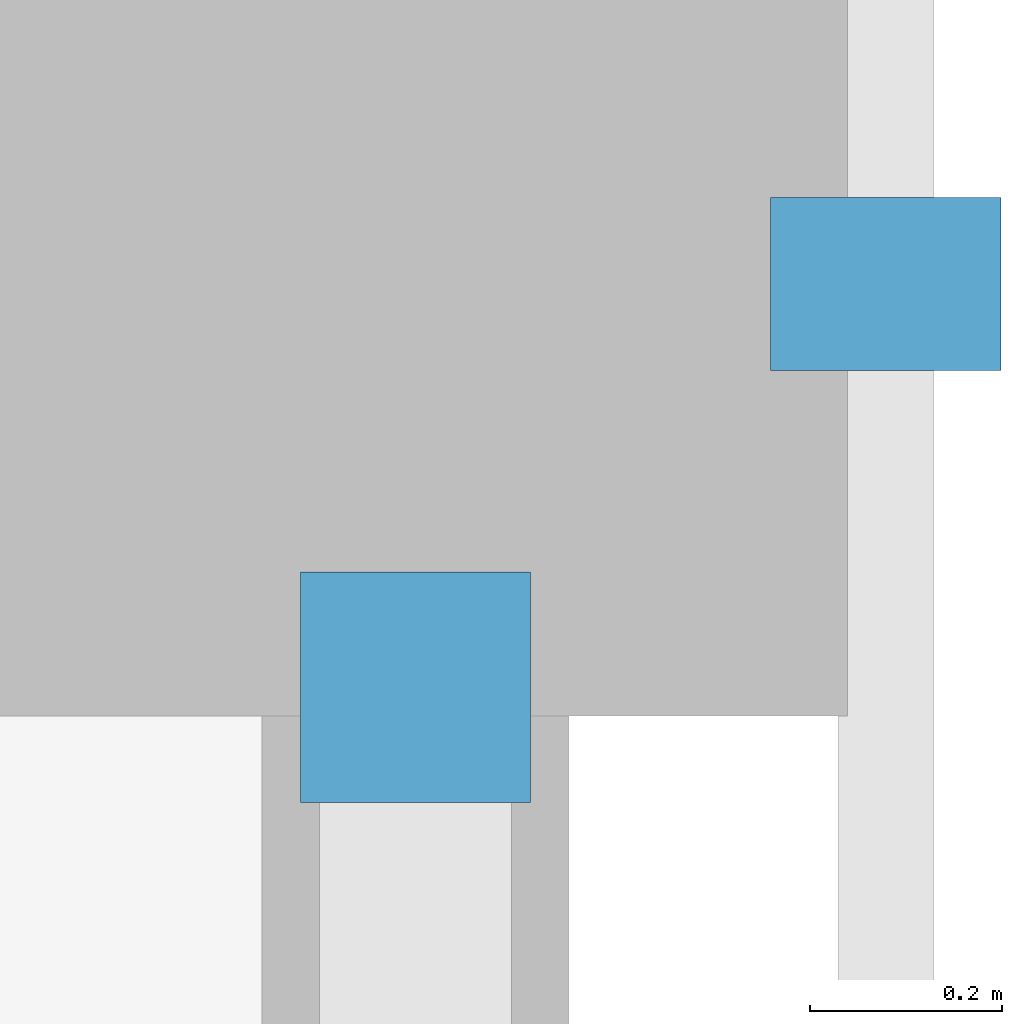
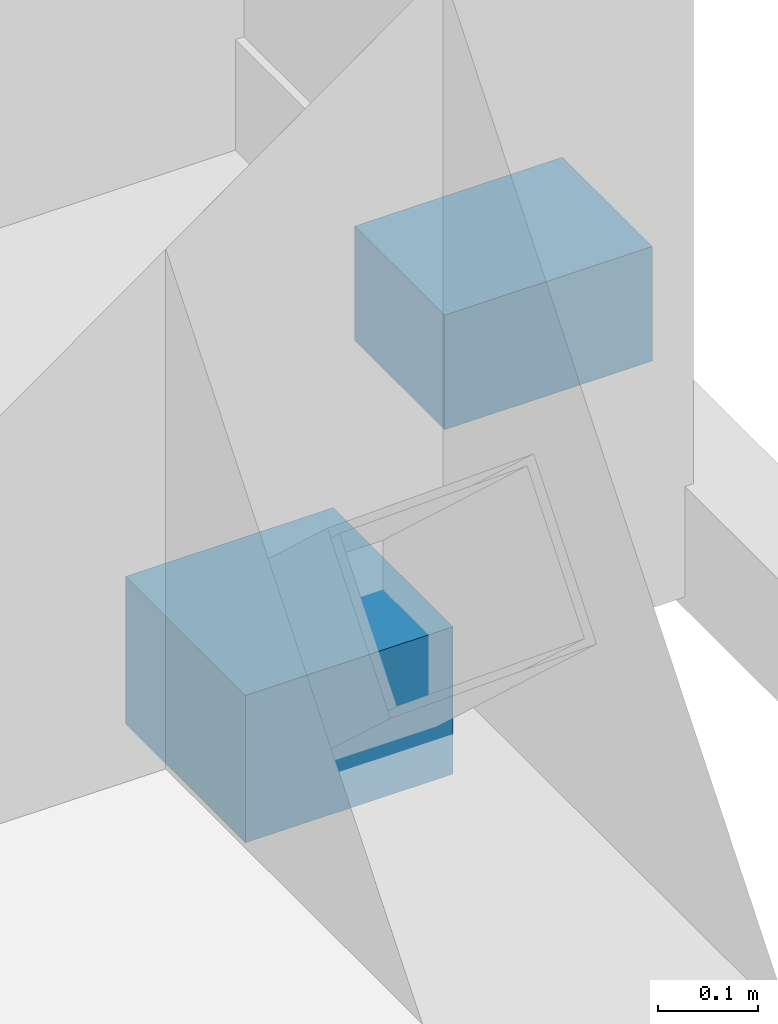
# One storey, part 103 of 118: 2 discrete accessories.
"""IFC4 building model written with IfcOpenShell, lengths in metres."""

import ifcopenshell
import ifcopenshell.guid

model = None  # the IFC model being written
_history = None  # IfcOwnerHistory: only IFC2X3 demands one
_inside = {}  # id of a spatial element -> (the spatial element, [elements in it])
_under = {}  # id of a project, library or spatial element -> (it, [spatial elements below it])
_declared = {}  # id of a project -> (the project, [libraries it declares])
_typed = {}  # id of a type object -> (the type object, [elements of that type])
_made_of = {}  # id of a material, layer set ... -> (it, [elements and type objects made of it])


def new_model(schema):
    """Start an empty IFC model of exactly this schema.

    Asked for "IFC4X3", IfcOpenShell would pick the latest addendum, in which some entities
    have other attributes; the version numbers below select the first issue.
    IFC2X3 requires an IfcOwnerHistory on every rooted entity: one is made here for all.
    """
    global model, _history
    if schema == "IFC4X3":
        model = ifcopenshell.file(schema_version=(4, 3, 0, 0))
    else:
        model = ifcopenshell.file(schema=schema)
    _inside.clear()
    _under.clear()
    _declared.clear()
    _typed.clear()
    _made_of.clear()
    _history = None
    if model.schema == "IFC2X3":
        org = make("IfcOrganization", Name="unknown")
        user = make(
            "IfcPersonAndOrganization",
            ThePerson=make("IfcPerson", FamilyName="unknown"),
            TheOrganization=org,
        )
        app = make(
            "IfcApplication",
            ApplicationDeveloper=org,
            Version="unknown",
            ApplicationFullName="unknown",
            ApplicationIdentifier="unknown",
        )
        _history = make(
            "IfcOwnerHistory",
            OwningUser=user,
            OwningApplication=app,
            ChangeAction="ADDED",
            CreationDate=0,
        )
    return model


def make(cls, **values):
    """One entity of the class cls with the attributes given. An attribute that is None is left unset."""
    return model.create_entity(
        cls, **{name: value for name, value in values.items() if value is not None}
    )


def rooted(cls, **values):
    """An entity with a GlobalId (a new one), such as an element, a storey or a relation."""
    return make(cls, GlobalId=ifcopenshell.guid.new(), OwnerHistory=_history, **values)


def si_unit(unit_type, name, prefix=None):
    """IfcSIUnit, for example si_unit("LENGTHUNIT", "METRE", prefix="MILLI")."""
    return make("IfcSIUnit", UnitType=unit_type, Prefix=prefix, Name=name)


def assignment(units):
    """IfcUnitAssignment: the units of a project."""
    return None if units is None else make("IfcUnitAssignment", Units=units)


def point(xyz):
    """IfcCartesianPoint."""
    return None if xyz is None else make("IfcCartesianPoint", Coordinates=xyz)


def direction(xyz):
    """IfcDirection."""
    return None if xyz is None else make("IfcDirection", DirectionRatios=xyz)


def frame(location, z_axis=None, x_axis=None):
    """IfcAxis2Placement3D, a coordinate frame: its origin and axes. An axis left out is left unset."""
    return make(
        "IfcAxis2Placement3D",
        Location=point(location),
        Axis=direction(z_axis),
        RefDirection=direction(x_axis),
    )


def frame_2d(location, x_axis=None):
    """IfcAxis2Placement2D, a coordinate frame in the plane: its origin and x axis."""
    return make(
        "IfcAxis2Placement2D", Location=point(location), RefDirection=direction(x_axis)
    )


def origin():
    """The frame at (0, 0, 0) with its axes left unset."""
    return frame((0.0, 0.0, 0.0))


def origin_2d():
    """The frame at (0, 0) in the plane with its x axis left unset."""
    return frame_2d((0.0, 0.0))


def place(relative_to, where):
    """IfcLocalPlacement: puts the frame where relative to a parent placement (None: the world)."""
    return make(
        "IfcLocalPlacement", PlacementRelTo=relative_to, RelativePlacement=where
    )


def context(
    kind, dimensions, precision=None, world=None, true_north=None, identifier=None
):
    """IfcGeometricRepresentationContext, for example the 3D "Model" context."""
    return make(
        "IfcGeometricRepresentationContext",
        ContextIdentifier=identifier,
        ContextType=kind,
        CoordinateSpaceDimension=dimensions,
        Precision=precision,
        WorldCoordinateSystem=world,
        TrueNorth=true_north,
    )


def subcontext(parent, identifier, kind, view, scale=None):
    """IfcGeometricRepresentationSubContext, for example "Body" below "Model"."""
    return make(
        "IfcGeometricRepresentationSubContext",
        ContextIdentifier=identifier,
        ContextType=kind,
        ParentContext=parent,
        TargetScale=scale,
        TargetView=view,
    )


def project(units=None, contexts=None):
    """IfcProject with its units and contexts."""
    return rooted(
        "IfcProject",
        Name="project",
        RepresentationContexts=contexts,
        UnitsInContext=assignment(units),
    )


def spatial(cls, under=None, at=None, **own):
    """A site, building, storey or space (cls), placed at a placement, below another one or the project."""
    s = rooted(cls, ObjectPlacement=at, **own)
    if under is not None:
        _under.setdefault(under.id(), (under, []))[1].append(s)
    return s


def profile(cls, at=None, kind="AREA", **sizes):
    """A parametric profile (cls). Its sizes go by their IFC names, for example OverallWidth=200.0."""
    return make(cls, ProfileType=kind, Position=at, **sizes)


def rectangle(**sizes):
    """IfcRectangleProfileDef."""
    return profile("IfcRectangleProfileDef", **sizes)


def extrude(swept, where, along, depth):
    """IfcExtrudedAreaSolid: the profile swept, set in the frame where, extruded along a direction by depth."""
    return make(
        "IfcExtrudedAreaSolid",
        SweptArea=swept,
        Position=where,
        ExtrudedDirection=direction(along),
        Depth=depth,
    )


def shape(context_of_items, identifier, shape_type, items):
    """IfcShapeRepresentation: the items that make up one representation, for example the "Body"."""
    return make(
        "IfcShapeRepresentation",
        ContextOfItems=context_of_items,
        RepresentationIdentifier=identifier,
        RepresentationType=shape_type,
        Items=items,
    )


def material(Name=None, Category=None):
    """IfcMaterial."""
    return make("IfcMaterial", Name=Name, Category=Category)


def layer(
    of_material, thickness, ventilated=None, Name=None, Category=None, Priority=None
):
    """IfcMaterialLayer: one layer of a wall or slab, of a material (None: an air gap)."""
    return make(
        "IfcMaterialLayer",
        Material=of_material,
        LayerThickness=thickness,
        IsVentilated=ventilated,
        Name=Name,
        Category=Category,
        Priority=Priority,
    )


def layer_set(layers, Name=None):
    """IfcMaterialLayerSet."""
    return make("IfcMaterialLayerSet", MaterialLayers=layers, LayerSetName=Name)


def made_of(thing, what):
    """Note that an element or type object is made of a material, layer set ...; save() writes the relation."""
    if what is not None:
        _made_of.setdefault(what.id(), (what, []))[1].append(thing)
    return thing


def type_object(cls, material=None, **own):
    """A type object (cls), such as IfcWallType, which elements share."""
    return made_of(rooted(cls, **own), material)


def element(
    cls,
    number,
    at=None,
    inside=None,
    cuts=None,
    type_object=None,
    material=None,
    context=None,
    identifier="Body",
    shape_type=None,
    held_by="IfcProductDefinitionShape",
    body=None,
    shapes=None,
    **own,
):
    """One element of the class cls, such as IfcWall. Its Tag is "e" and its number.

    at: its placement. inside: the storey or other place that contains it. cuts: it is an
    opening in that element (IfcRelVoidsElement). A single representation is given by context,
    identifier, shape_type and body (its items); several are given by shapes. held_by: the class
    of the entity that holds the representations. save() writes the other relations.
    """
    e = rooted(cls, Tag="e%d" % number, ObjectPlacement=at, **own)
    if body is not None:
        shapes = [shape(context, identifier, shape_type, body)]
    if shapes is not None:
        e.Representation = make(held_by, Representations=shapes)
    if inside is not None:
        _inside.setdefault(inside.id(), (inside, []))[1].append(e)
    if cuts is not None:
        rooted(
            "IfcRelVoidsElement", RelatingBuildingElement=cuts, RelatedOpeningElement=e
        )
    if type_object is not None:
        _typed.setdefault(type_object.id(), (type_object, []))[1].append(e)
    return made_of(e, material)


def aggregate(whole, parts):
    """IfcRelAggregates: a whole, such as a stair, and the parts it consists of."""
    return rooted("IfcRelAggregates", RelatingObject=whole, RelatedObjects=parts)


def save(model, path):
    """Write the relations noted so far, then the file.

    IfcRelAggregates (storeys below a building ...), IfcRelContainedInSpatialStructure (elements
    in a storey), IfcRelDefinesByType, IfcRelAssociatesMaterial and IfcRelDeclares: one each for
    every whole, place, type object, material and project.
    """
    for whole, parts in _under.values():
        aggregate(whole, parts)
    for where, things in _inside.values():
        rooted(
            "IfcRelContainedInSpatialStructure",
            RelatedElements=things,
            RelatingStructure=where,
        )
    for kind, things in _typed.values():
        rooted("IfcRelDefinesByType", RelatedObjects=things, RelatingType=kind)
    for what, things in _made_of.values():
        rooted("IfcRelAssociatesMaterial", RelatedObjects=things, RelatingMaterial=what)
    for by, libraries in _declared.values():
        rooted("IfcRelDeclares", RelatingContext=by, RelatedDefinitions=libraries)
    model.write(path)


model = new_model("IFC4")

# Units and contexts
model_context = context("Model", 3, precision=1e-05, world=origin(), true_north=direction((0.0, 1.0)))
body_context = subcontext(model_context, "Body", "Model", "MODEL_VIEW")
ifc_project = project(units=[si_unit("LENGTHUNIT", "METRE"), si_unit("AREAUNIT", "SQUARE_METRE"), si_unit("VOLUMEUNIT", "CUBIC_METRE"), si_unit("PLANEANGLEUNIT", "RADIAN"), si_unit("MASSUNIT", "GRAM", prefix="KILO")], contexts=[model_context])

# Site, building, storey
site_placement = place(None, origin())
site = spatial("IfcSite", under=ifc_project, at=site_placement, CompositionType="ELEMENT")
building_placement = place(site_placement, origin())
building = spatial("IfcBuilding", under=site, at=building_placement, Name="Haebicheon Civic Stadium", CompositionType="ELEMENT")
storey_placement = place(building_placement, frame((0.0, 0.0, 14.39990234375)))
storey = spatial("IfcBuildingStorey", under=building, at=storey_placement, Name="L04", CompositionType="ELEMENT", Elevation=14.39990234375)

# Discrete accessories
ifc_material_1 = material(Name="White painted steel SM490", Category="steel")
ifc_layer_1 = layer(ifc_material_1, 0.179931640625, Name="White painted steel SM490")
ifc_layer_set_1 = layer_set([ifc_layer_1], Name="White painted steel SM490")
discrete_accessory_type_1 = type_object("IfcDiscreteAccessoryType", Name="BRK-END-PLT", PredefinedType="BRACKET", material=ifc_layer_set_1)
discrete_accessory_1_placement = place(storey_placement, frame((236.0, 119.580078125, -0.0498046875), z_axis=(0.0, 0.0, 1.0), x_axis=(1.0, 0.0, 0.0)))
element("IfcDiscreteAccessory", 1, at=discrete_accessory_1_placement, inside=storey, type_object=discrete_accessory_type_1, material=ifc_layer_set_1, Name="Brace L04-28-14 bolted end connection plate", PredefinedType="BRACKET", context=body_context, shape_type="SweptSolid", body=[
    extrude(rectangle(XDim=0.239990234375, YDim=0.239990234375, at=origin_2d()), origin(), (0.0, 0.0, 1.0), 0.179931640625),
])
ifc_material_2 = material(Name="Stainless steel 316", Category="steel")
ifc_layer_2 = layer(ifc_material_2, 0.139892578125, Name="Stainless steel 316")
ifc_layer_set_2 = layer_set([ifc_layer_2], Name="Stainless steel 316")
discrete_accessory_type_2 = type_object("IfcDiscreteAccessoryType", Name="BRK-LVR-CLEAT", PredefinedType="BRACKET", material=ifc_layer_set_2)
discrete_accessory_2_placement = place(storey_placement, frame((236.489990234375, 120.0, 0.01025390625), z_axis=(0.0, 0.0, 1.0), x_axis=(1.0, 0.0, 0.0)))
element("IfcDiscreteAccessory", 2, at=discrete_accessory_2_placement, inside=storey, type_object=discrete_accessory_type_2, material=ifc_layer_set_2, Name="SCR-COMM L04 stainless bracket cleat 9B", PredefinedType="BRACKET", context=body_context, shape_type="SweptSolid", body=[
    extrude(rectangle(XDim=0.239990234375, YDim=0.179931640625, at=origin_2d()), origin(), (0.0, 0.0, 1.0), 0.139892578125),
])

save(model, "model.ifc")
